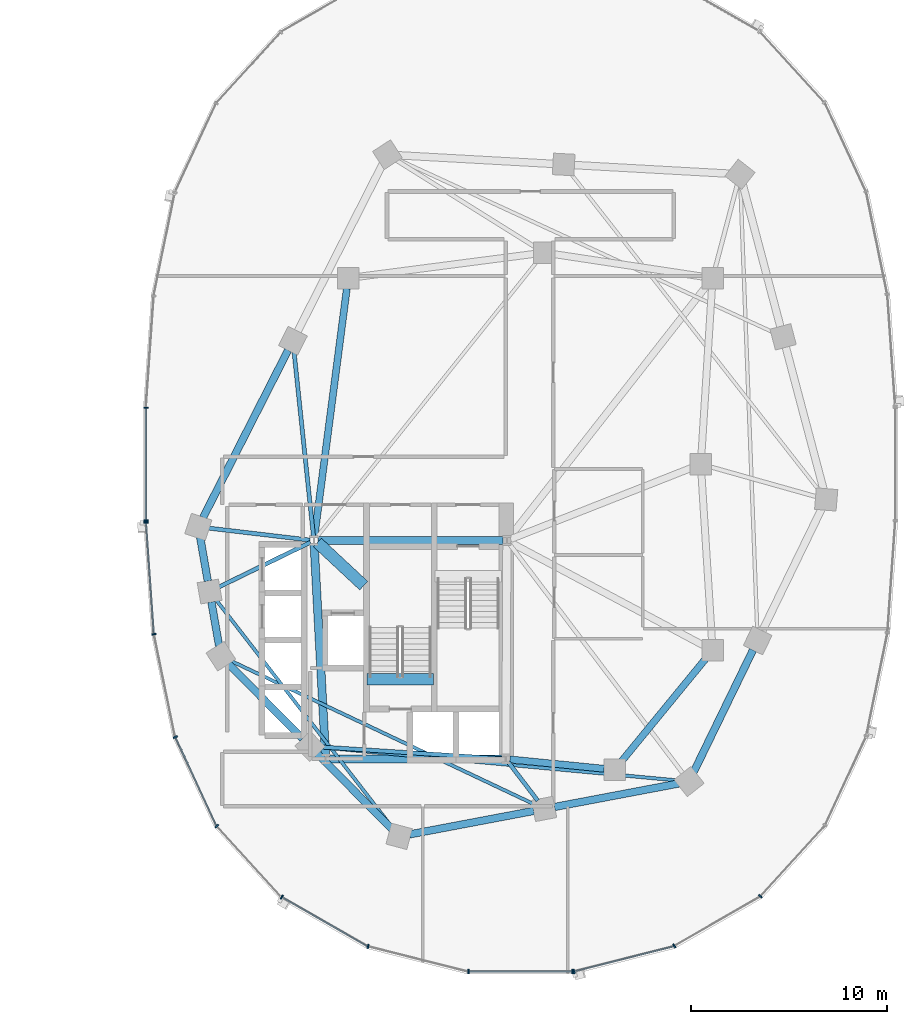
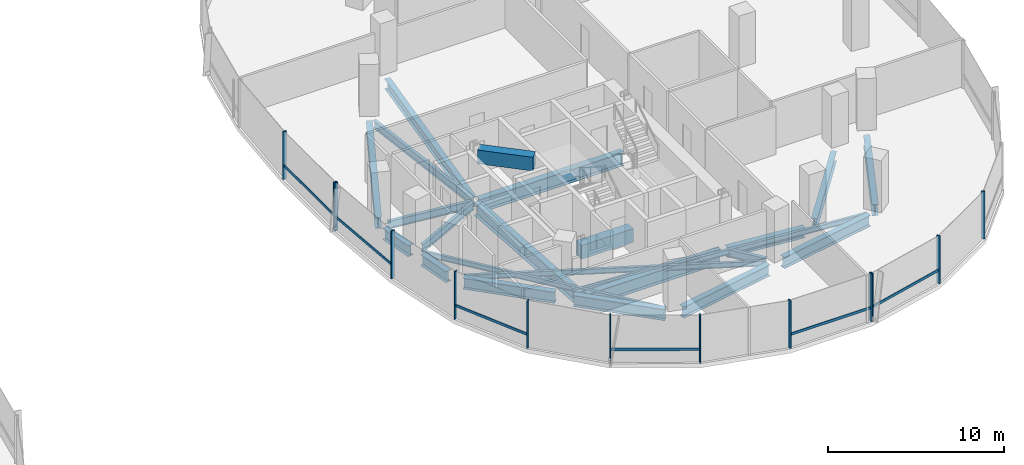
# One storey, part 5 of 21: 24 beams, 19 members, 3 elements without a shape of their own.
"""IFC4 building model written with IfcOpenShell, lengths in metres."""

import ifcopenshell
import ifcopenshell.guid

model = None  # the IFC model being written
_history = None  # IfcOwnerHistory: only IFC2X3 demands one
_inside = {}  # id of a spatial element -> (the spatial element, [elements in it])
_under = {}  # id of a project, library or spatial element -> (it, [spatial elements below it])
_declared = {}  # id of a project -> (the project, [libraries it declares])
_typed = {}  # id of a type object -> (the type object, [elements of that type])
_made_of = {}  # id of a material, layer set ... -> (it, [elements and type objects made of it])


def new_model(schema):
    """Start an empty IFC model of exactly this schema.

    Asked for "IFC4X3", IfcOpenShell would pick the latest addendum, in which some entities
    have other attributes; the version numbers below select the first issue.
    IFC2X3 requires an IfcOwnerHistory on every rooted entity: one is made here for all.
    """
    global model, _history
    if schema == "IFC4X3":
        model = ifcopenshell.file(schema_version=(4, 3, 0, 0))
    else:
        model = ifcopenshell.file(schema=schema)
    _inside.clear()
    _under.clear()
    _declared.clear()
    _typed.clear()
    _made_of.clear()
    _history = None
    if model.schema == "IFC2X3":
        org = make("IfcOrganization", Name="unknown")
        user = make(
            "IfcPersonAndOrganization",
            ThePerson=make("IfcPerson", FamilyName="unknown"),
            TheOrganization=org,
        )
        app = make(
            "IfcApplication",
            ApplicationDeveloper=org,
            Version="unknown",
            ApplicationFullName="unknown",
            ApplicationIdentifier="unknown",
        )
        _history = make(
            "IfcOwnerHistory",
            OwningUser=user,
            OwningApplication=app,
            ChangeAction="ADDED",
            CreationDate=0,
        )
    return model


def make(cls, **values):
    """One entity of the class cls with the attributes given. An attribute that is None is left unset."""
    return model.create_entity(
        cls, **{name: value for name, value in values.items() if value is not None}
    )


def rooted(cls, **values):
    """An entity with a GlobalId (a new one), such as an element, a storey or a relation."""
    return make(cls, GlobalId=ifcopenshell.guid.new(), OwnerHistory=_history, **values)


def si_unit(unit_type, name, prefix=None):
    """IfcSIUnit, for example si_unit("LENGTHUNIT", "METRE", prefix="MILLI")."""
    return make("IfcSIUnit", UnitType=unit_type, Prefix=prefix, Name=name)


def assignment(units):
    """IfcUnitAssignment: the units of a project."""
    return None if units is None else make("IfcUnitAssignment", Units=units)


def point(xyz):
    """IfcCartesianPoint."""
    return None if xyz is None else make("IfcCartesianPoint", Coordinates=xyz)


def direction(xyz):
    """IfcDirection."""
    return None if xyz is None else make("IfcDirection", DirectionRatios=xyz)


def frame(location, z_axis=None, x_axis=None):
    """IfcAxis2Placement3D, a coordinate frame: its origin and axes. An axis left out is left unset."""
    return make(
        "IfcAxis2Placement3D",
        Location=point(location),
        Axis=direction(z_axis),
        RefDirection=direction(x_axis),
    )


def frame_2d(location, x_axis=None):
    """IfcAxis2Placement2D, a coordinate frame in the plane: its origin and x axis."""
    return make(
        "IfcAxis2Placement2D", Location=point(location), RefDirection=direction(x_axis)
    )


def origin():
    """The frame at (0, 0, 0) with its axes left unset."""
    return frame((0.0, 0.0, 0.0))


def origin_2d():
    """The frame at (0, 0) in the plane with its x axis left unset."""
    return frame_2d((0.0, 0.0))


def place(relative_to, where):
    """IfcLocalPlacement: puts the frame where relative to a parent placement (None: the world)."""
    return make(
        "IfcLocalPlacement", PlacementRelTo=relative_to, RelativePlacement=where
    )


def context(
    kind, dimensions, precision=None, world=None, true_north=None, identifier=None
):
    """IfcGeometricRepresentationContext, for example the 3D "Model" context."""
    return make(
        "IfcGeometricRepresentationContext",
        ContextIdentifier=identifier,
        ContextType=kind,
        CoordinateSpaceDimension=dimensions,
        Precision=precision,
        WorldCoordinateSystem=world,
        TrueNorth=true_north,
    )


def subcontext(parent, identifier, kind, view, scale=None):
    """IfcGeometricRepresentationSubContext, for example "Body" below "Model"."""
    return make(
        "IfcGeometricRepresentationSubContext",
        ContextIdentifier=identifier,
        ContextType=kind,
        ParentContext=parent,
        TargetScale=scale,
        TargetView=view,
    )


def project(units=None, contexts=None):
    """IfcProject with its units and contexts."""
    return rooted(
        "IfcProject",
        Name="project",
        RepresentationContexts=contexts,
        UnitsInContext=assignment(units),
    )


def spatial(cls, under=None, at=None, **own):
    """A site, building, storey or space (cls), placed at a placement, below another one or the project."""
    s = rooted(cls, ObjectPlacement=at, **own)
    if under is not None:
        _under.setdefault(under.id(), (under, []))[1].append(s)
    return s


def profile(cls, at=None, kind="AREA", **sizes):
    """A parametric profile (cls). Its sizes go by their IFC names, for example OverallWidth=200.0."""
    return make(cls, ProfileType=kind, Position=at, **sizes)


def rectangle(**sizes):
    """IfcRectangleProfileDef."""
    return profile("IfcRectangleProfileDef", **sizes)


def i_section(**sizes):
    """IfcIShapeProfileDef."""
    return profile("IfcIShapeProfileDef", **sizes)


def extrude(swept, where, along, depth):
    """IfcExtrudedAreaSolid: the profile swept, set in the frame where, extruded along a direction by depth."""
    return make(
        "IfcExtrudedAreaSolid",
        SweptArea=swept,
        Position=where,
        ExtrudedDirection=direction(along),
        Depth=depth,
    )


def shape(context_of_items, identifier, shape_type, items):
    """IfcShapeRepresentation: the items that make up one representation, for example the "Body"."""
    return make(
        "IfcShapeRepresentation",
        ContextOfItems=context_of_items,
        RepresentationIdentifier=identifier,
        RepresentationType=shape_type,
        Items=items,
    )


def material(Name=None, Category=None):
    """IfcMaterial."""
    return make("IfcMaterial", Name=Name, Category=Category)


def material_profile(
    of_material, cross_section, Name=None, Category=None, Priority=None
):
    """IfcMaterialProfile: a cross section and its material."""
    return make(
        "IfcMaterialProfile",
        Name=Name,
        Material=of_material,
        Profile=cross_section,
        Priority=Priority,
        Category=Category,
    )


def profile_set(profiles, Name=None, composite=None):
    """IfcMaterialProfileSet."""
    return make(
        "IfcMaterialProfileSet",
        Name=Name,
        MaterialProfiles=profiles,
        CompositeProfile=composite,
    )


def made_of(thing, what):
    """Note that an element or type object is made of a material, layer set ...; save() writes the relation."""
    if what is not None:
        _made_of.setdefault(what.id(), (what, []))[1].append(thing)
    return thing


def type_object(cls, material=None, **own):
    """A type object (cls), such as IfcWallType, which elements share."""
    return made_of(rooted(cls, **own), material)


def element(
    cls,
    number,
    at=None,
    inside=None,
    cuts=None,
    type_object=None,
    material=None,
    context=None,
    identifier="Body",
    shape_type=None,
    held_by="IfcProductDefinitionShape",
    body=None,
    shapes=None,
    **own,
):
    """One element of the class cls, such as IfcWall. Its Tag is "e" and its number.

    at: its placement. inside: the storey or other place that contains it. cuts: it is an
    opening in that element (IfcRelVoidsElement). A single representation is given by context,
    identifier, shape_type and body (its items); several are given by shapes. held_by: the class
    of the entity that holds the representations. save() writes the other relations.
    """
    e = rooted(cls, Tag="e%d" % number, ObjectPlacement=at, **own)
    if body is not None:
        shapes = [shape(context, identifier, shape_type, body)]
    if shapes is not None:
        e.Representation = make(held_by, Representations=shapes)
    if inside is not None:
        _inside.setdefault(inside.id(), (inside, []))[1].append(e)
    if cuts is not None:
        rooted(
            "IfcRelVoidsElement", RelatingBuildingElement=cuts, RelatedOpeningElement=e
        )
    if type_object is not None:
        _typed.setdefault(type_object.id(), (type_object, []))[1].append(e)
    return made_of(e, material)


def aggregate(whole, parts):
    """IfcRelAggregates: a whole, such as a stair, and the parts it consists of."""
    return rooted("IfcRelAggregates", RelatingObject=whole, RelatedObjects=parts)


def save(model, path):
    """Write the relations noted so far, then the file.

    IfcRelAggregates (storeys below a building ...), IfcRelContainedInSpatialStructure (elements
    in a storey), IfcRelDefinesByType, IfcRelAssociatesMaterial and IfcRelDeclares: one each for
    every whole, place, type object, material and project.
    """
    for whole, parts in _under.values():
        aggregate(whole, parts)
    for where, things in _inside.values():
        rooted(
            "IfcRelContainedInSpatialStructure",
            RelatedElements=things,
            RelatingStructure=where,
        )
    for kind, things in _typed.values():
        rooted("IfcRelDefinesByType", RelatedObjects=things, RelatingType=kind)
    for what, things in _made_of.values():
        rooted("IfcRelAssociatesMaterial", RelatedObjects=things, RelatingMaterial=what)
    for by, libraries in _declared.values():
        rooted("IfcRelDeclares", RelatingContext=by, RelatedDefinitions=libraries)
    model.write(path)


model = new_model("IFC4")

# Units and contexts
model_context = context("Model", 3, precision=1e-05, world=origin(), true_north=direction((0.0, 1.0)))
body_context = subcontext(model_context, "Body", "Model", "MODEL_VIEW")
ifc_project = project(units=[si_unit("LENGTHUNIT", "METRE"), si_unit("AREAUNIT", "SQUARE_METRE"), si_unit("VOLUMEUNIT", "CUBIC_METRE"), si_unit("PLANEANGLEUNIT", "RADIAN"), si_unit("MASSUNIT", "GRAM", prefix="KILO"), si_unit("THERMODYNAMICTEMPERATUREUNIT", "KELVIN"), si_unit("POWERUNIT", "WATT")], contexts=[model_context])

# Site, building, storey
site_placement = place(None, origin())
site = spatial("IfcSite", under=ifc_project, at=site_placement, CompositionType="ELEMENT")
building_placement = place(site_placement, origin())
building = spatial("IfcBuilding", under=site, at=building_placement, Name="Cundina Bronze Exchange", CompositionType="ELEMENT")
storey_placement = place(building_placement, frame((0.0, 0.0, 110.60009765625)))
storey = spatial("IfcBuildingStorey", under=building, at=storey_placement, Name="L28", CompositionType="ELEMENT", Elevation=110.60009765625)

# Beams
ifc_material_1 = material(Name="Concrete C60/75", Category="concrete")
ifc_material_profile_1 = material_profile(ifc_material_1, rectangle(XDim=0.60009765625, YDim=0.949951171875, at=origin_2d()), Name="RC600X950", Category="concrete")
ifc_profile_set_1 = profile_set([ifc_material_profile_1], Name="Concrete C60/75")
beam_type_1 = type_object("IfcBeamType", Name="BM-COUP-RC950", PredefinedType="LINTEL", material=ifc_profile_set_1)
beam_1_placement = place(storey_placement, frame((24.159912109375, -10.97998046875, -0.47509765625), z_axis=(1.0, 0.0, 0.0), x_axis=(0.0, 1.0, 0.0)))
element("IfcBeam", 1, at=beam_1_placement, inside=storey, type_object=beam_type_1, Name="L28 Stair E2 Landing Header Beam", PredefinedType="LINTEL", context=body_context, shape_type="SweptSolid", body=[
    extrude(rectangle(XDim=0.60009765625, YDim=0.949951171875, at=origin_2d()), origin(), (0.0, 0.0, 1.0), 3.400146484375),
])
beam_2_placement = place(storey_placement, frame((21.6298828125, -4.0, 2.824951171875), z_axis=(0.731490439815, -0.681851696822, 0.0), x_axis=(0.681851696822, 0.731490439815, 0.0)))
element("IfcBeam", 2, at=beam_2_placement, inside=storey, type_object=beam_type_1, Name="L28 E Core Shear Coupling Lintel Beam", PredefinedType="LINTEL", context=body_context, shape_type="SweptSolid", body=[
    extrude(rectangle(XDim=0.60009765625, YDim=0.949951171875, at=origin_2d()), origin(), (0.0, 0.0, 1.0), 3.226318359375),
])
ifc_material_2 = material(Name="Steel ASTM A992 Grade 50", Category="steel")
ifc_material_profile_2 = material_profile(ifc_material_2, i_section(OverallWidth=0.2099609375, OverallDepth=0.532958984375, WebThickness=0.01025390625, FlangeThickness=0.015625, FilletRadius=0.013916015625, at=origin_2d()), Name="W21X62", Category="steel")
ifc_profile_set_2 = profile_set([ifc_material_profile_2], Name="Steel ASTM A992 Grade 50")
beam_type_2 = type_object("IfcBeamType", Name="BM-FLR-W21B", PredefinedType="BEAM", material=ifc_profile_set_2)
beam_3_placement = place(storey_placement, frame((21.247314453125, -3.8759765625, -0.566650390625), z_axis=(-0.993035701683, 0.117813815752, 0.0), x_axis=(-0.117813815752, -0.993035701683, 0.0)))
element("IfcBeam", 3, at=beam_3_placement, inside=storey, type_object=beam_type_2, Name="L28 Leg E Chordal Floor Beam 00", PredefinedType="BEAM", context=body_context, shape_type="SweptSolid", body=[
    extrude(i_section(OverallWidth=0.2099609375, OverallDepth=0.532958984375, WebThickness=0.01025390625, FlangeThickness=0.015625, FilletRadius=0.013916015625, at=origin_2d()), origin(), (0.0, 0.0, 1.0), 5.19921875),
])
beam_4_placement = place(storey_placement, frame((21.2666015625, -3.989501953125, -0.566650390625), z_axis=(-0.898607246385, -0.438753936443, 0.0), x_axis=(0.438753936443, -0.898607246385, 0.0)))
element("IfcBeam", 4, at=beam_4_placement, inside=storey, type_object=beam_type_2, Name="L28 Leg E Chordal Floor Beam 01", PredefinedType="BEAM", context=body_context, shape_type="SweptSolid", body=[
    extrude(i_section(OverallWidth=0.2099609375, OverallDepth=0.532958984375, WebThickness=0.01025390625, FlangeThickness=0.015625, FilletRadius=0.013916015625, at=origin_2d()), origin(), (0.0, 0.0, 1.0), 5.183837890625),
])
beam_5_placement = place(storey_placement, frame((31.04638671875, -15.036865234375, -0.566650390625), z_axis=(-0.997892901568, 0.064882640211, 0.0), x_axis=(-0.064882640211, -0.997892901568, 0.0)))
element("IfcBeam", 5, at=beam_5_placement, inside=storey, type_object=beam_type_2, Name="L28 Leg E Chordal Floor Beam 03", PredefinedType="BEAM", context=body_context, shape_type="SweptSolid", body=[
    extrude(i_section(OverallWidth=0.2099609375, OverallDepth=0.532958984375, WebThickness=0.01025390625, FlangeThickness=0.015625, FilletRadius=0.013916015625, at=origin_2d()), origin(), (0.0, 0.0, 1.0), 9.279052734375),
])
beam_6_placement = place(storey_placement, frame((31.373779296875, -15.2119140625, -0.566650390625), z_axis=(0.607490490457, -0.79432695032, 0.0), x_axis=(0.79432695032, 0.607490490457, 0.0)))
element("IfcBeam", 6, at=beam_6_placement, inside=storey, type_object=beam_type_2, Name="L28 Leg E Chordal Floor Beam 05", PredefinedType="BEAM", context=body_context, shape_type="SweptSolid", body=[
    extrude(i_section(OverallWidth=0.2099609375, OverallDepth=0.532958984375, WebThickness=0.01025390625, FlangeThickness=0.015625, FilletRadius=0.013916015625, at=origin_2d()), origin(), (0.0, 0.0, 1.0), 2.46826171875),
])
beam_7_placement = place(storey_placement, frame((21.4287109375, -3.697021484375, -0.566650390625), z_axis=(-0.104822364957, 0.994490961148, 0.0), x_axis=(-0.994490961148, -0.104822364957, 0.0)))
element("IfcBeam", 7, at=beam_7_placement, inside=storey, type_object=beam_type_2, Name="L28 Leg E Chordal Floor Beam 13", PredefinedType="BEAM", context=body_context, shape_type="SweptSolid", body=[
    extrude(i_section(OverallWidth=0.2099609375, OverallDepth=0.532958984375, WebThickness=0.01025390625, FlangeThickness=0.015625, FilletRadius=0.013916015625, at=origin_2d()), origin(), (0.0, 0.0, 1.0), 9.514404296875),
])
ifc_material_profile_3 = material_profile(ifc_material_2, i_section(OverallWidth=0.172119140625, OverallDepth=0.35791015625, WebThickness=0.0078125, FlangeThickness=0.01318359375, FilletRadius=0.010009765625, at=origin_2d()), Name="W14X38", Category="steel")
ifc_profile_set_3 = profile_set([ifc_material_profile_3], Name="Steel ASTM A992 Grade 50")
beam_type_3 = type_object("IfcBeamType", Name="BM-JST-W14", PredefinedType="JOIST", material=ifc_profile_set_3)
beam_8_placement = place(storey_placement, frame((16.454345703125, -6.92529296875, -0.47900390625), z_axis=(0.612065218806, -0.790807288742, 0.0), x_axis=(0.790807288742, 0.612065218806, 0.0)))
element("IfcBeam", 8, at=beam_8_placement, inside=storey, type_object=beam_type_3, Name="L28 Leg E Lobe Floor Joist 01-04", PredefinedType="JOIST", context=body_context, shape_type="SweptSolid", body=[
    extrude(i_section(OverallWidth=0.172119140625, OverallDepth=0.35791015625, WebThickness=0.0078125, FlangeThickness=0.01318359375, FilletRadius=0.010009765625, at=origin_2d()), origin(), (0.0, 0.0, 1.0), 14.73095703125),
])
beam_9_placement = place(storey_placement, frame((17.186279296875, -10.02978515625, -0.47900390625), z_axis=(0.904069270633, -0.427385954259, 0.0), x_axis=(0.427385954259, 0.904069270633, 0.0)))
element("IfcBeam", 9, at=beam_9_placement, inside=storey, type_object=beam_type_3, Name="L28 Leg E Lobe Floor Joist 02-05", PredefinedType="JOIST", context=body_context, shape_type="SweptSolid", body=[
    extrude(i_section(OverallWidth=0.172119140625, OverallDepth=0.35791015625, WebThickness=0.0078125, FlangeThickness=0.01318359375, FilletRadius=0.010009765625, at=origin_2d()), origin(), (0.0, 0.0, 1.0), 17.175048828125),
])
beam_10_placement = place(storey_placement, frame((21.78564453125, -14.44970703125, -0.47900390625), z_axis=(0.995700674022, -0.092629194921, 0.0), x_axis=(0.092629194921, 0.995700674022, 0.0)))
element("IfcBeam", 10, at=beam_10_placement, inside=storey, type_object=beam_type_3, Name="L28 Leg E Lobe Floor Joist 03-06", PredefinedType="JOIST", context=body_context, shape_type="SweptSolid", body=[
    extrude(i_section(OverallWidth=0.172119140625, OverallDepth=0.35791015625, WebThickness=0.0078125, FlangeThickness=0.01318359375, FilletRadius=0.010009765625, at=origin_2d()), origin(), (0.0, 0.0, 1.0), 18.357421875),
])
ifc_material_profile_4 = material_profile(ifc_material_2, i_section(OverallWidth=0.35498046875, OverallDepth=0.695068359375, WebThickness=0.015380859375, FlangeThickness=0.02490234375, FilletRadius=0.01806640625, at=origin_2d()), Name="W27X146", Category="steel")
ifc_profile_set_4 = profile_set([ifc_material_profile_4], Name="Steel ASTM A992 Grade 50")
beam_type_4 = type_object("IfcBeamType", Name="BM-RING-W27", PredefinedType="USERDEFINED", material=ifc_profile_set_4)
beam_11_placement = place(storey_placement, frame((31.452880859375, -15.070068359375, -0.647705078125), z_axis=(0.995126271817, -0.098608839051, 0.0), x_axis=(0.098608839051, 0.995126271817, 0.0)))
element("IfcBeam", 11, at=beam_11_placement, inside=storey, type_object=beam_type_4, Name="L28 E Inner Structural Ring Girder 01", ObjectType="GIRDER", PredefinedType="USERDEFINED", context=body_context, shape_type="SweptSolid", body=[
    extrude(i_section(OverallWidth=0.35498046875, OverallDepth=0.695068359375, WebThickness=0.015380859375, FlangeThickness=0.02490234375, FilletRadius=0.01806640625, at=origin_2d()), origin(), (0.0, 0.0, 1.0), 4.83544921875),
])
beam_12_placement = place(storey_placement, frame((37.14111328125, -15.183837890625, -0.647705078125), z_axis=(0.633926549035, 0.773393257295, 0.0), x_axis=(-0.773393257295, 0.633926549035, 0.0)))
element("IfcBeam", 12, at=beam_12_placement, inside=storey, type_object=beam_type_4, Name="L28 E Inner Structural Ring Girder 02", ObjectType="GIRDER", PredefinedType="USERDEFINED", context=body_context, shape_type="SweptSolid", body=[
    extrude(i_section(OverallWidth=0.35498046875, OverallDepth=0.695068359375, WebThickness=0.015380859375, FlangeThickness=0.02490234375, FilletRadius=0.01806640625, at=origin_2d()), origin(), (0.0, 0.0, 1.0), 6.811279296875),
])
beam_13_placement = place(storey_placement, frame((23.13037109375, 8.966552734375, -0.647705078125), z_axis=(-0.129507526533, -0.99157843894, 0.0), x_axis=(0.99157843894, -0.129507526533, 0.0)))
element("IfcBeam", 13, at=beam_13_placement, inside=storey, type_object=beam_type_4, Name="L28 E Inner Structural Ring Girder 07", ObjectType="GIRDER", PredefinedType="USERDEFINED", context=body_context, shape_type="SweptSolid", body=[
    extrude(i_section(OverallWidth=0.35498046875, OverallDepth=0.695068359375, WebThickness=0.015380859375, FlangeThickness=0.02490234375, FilletRadius=0.01806640625, at=origin_2d()), origin(), (0.0, 0.0, 1.0), 12.77197265625),
])
ifc_material_profile_5 = material_profile(ifc_material_2, i_section(OverallWidth=0.381103515625, OverallDepth=0.77294921875, WebThickness=0.0166015625, FlangeThickness=0.027099609375, FilletRadius=0.01904296875, at=origin_2d()), Name="W30X173", Category="steel")
ifc_profile_set_5 = profile_set([ifc_material_profile_5], Name="Steel ASTM A992 Grade 50")
beam_type_5 = type_object("IfcBeamType", Name="BM-RING-W30", PredefinedType="USERDEFINED", material=ifc_profile_set_5)
for number, where, z_axis, x_axis, name in (
    (14, (15.642333984375, -3.72998046875, -0.6865234375), (0.171690078326, -0.985151012284, 0.0), (0.985151012284, 0.171690078326, 0.0), "L28 E Perimeter Ring Girder 00"),
    (15, (16.21728515625, -7.030029296875, -0.6865234375), (0.171690078326, -0.985151012284, 0.0), (0.985151012284, 0.171690078326, 0.0), "L28 E Perimeter Ring Girder 01"),
):
    element("IfcBeam", number, at=place(storey_placement, frame(where, z_axis=z_axis, x_axis=x_axis)), inside=storey, type_object=beam_type_5, Name=name, ObjectType="GIRDER", PredefinedType="USERDEFINED", context=body_context, shape_type="SweptSolid", body=[
        extrude(i_section(OverallWidth=0.381103515625, OverallDepth=0.77294921875, WebThickness=0.0166015625, FlangeThickness=0.027099609375, FilletRadius=0.01904296875, at=origin_2d()), origin(), (0.0, 0.0, 1.0), 2.273681640625),
    ])
for number, where, z_axis, x_axis, name in (
    (16, (17.078369140625, -10.1826171875, -0.6865234375), (0.703226342126, -0.7109660412, 0.0), (0.7109660412, 0.703226342126, 0.0), "L28 E Perimeter Ring Girder 02"),
    (17, (21.62841796875, -14.782470703125, -0.6865234375), (0.703226342126, -0.7109660412, 0.0), (0.7109660412, 0.703226342126, 0.0), "L28 E Perimeter Ring Girder 03"),
):
    element("IfcBeam", number, at=place(storey_placement, frame(where, z_axis=z_axis, x_axis=x_axis)), inside=storey, type_object=beam_type_5, Name=name, ObjectType="GIRDER", PredefinedType="USERDEFINED", context=body_context, shape_type="SweptSolid", body=[
        extrude(i_section(OverallWidth=0.381103515625, OverallDepth=0.77294921875, WebThickness=0.0166015625, FlangeThickness=0.027099609375, FilletRadius=0.01904296875, at=origin_2d()), origin(), (0.0, 0.0, 1.0), 5.39404296875),
    ])
for number, where, z_axis, x_axis, name in (
    (18, (26.32861328125, -18.89990234375, -0.6865234375), (0.98257117919, 0.185886733861, 0.0), (-0.185886733861, 0.98257117919, 0.0), "L28 E Perimeter Ring Girder 04"),
    (19, (33.728515625, -17.5, -0.6865234375), (0.98257117919, 0.185886733861, 0.0), (-0.185886733861, 0.98257117919, 0.0), "L28 E Perimeter Ring Girder 05"),
):
    element("IfcBeam", number, at=place(storey_placement, frame(where, z_axis=z_axis, x_axis=x_axis)), inside=storey, type_object=beam_type_5, Name=name, ObjectType="GIRDER", PredefinedType="USERDEFINED", context=body_context, shape_type="SweptSolid", body=[
        extrude(i_section(OverallWidth=0.381103515625, OverallDepth=0.77294921875, WebThickness=0.0166015625, FlangeThickness=0.027099609375, FilletRadius=0.01904296875, at=origin_2d()), origin(), (0.0, 0.0, 1.0), 6.455322265625),
    ])
beam_14_placement = place(storey_placement, frame((40.835205078125, -15.716064453125, -0.6865234375), z_axis=(0.437193894283, 0.899367276924, 0.0), x_axis=(-0.899367276924, 0.437193894283, 0.0)))
element("IfcBeam", 20, at=beam_14_placement, inside=storey, type_object=beam_type_5, Name="L28 E Perimeter Ring Girder 06", ObjectType="GIRDER", PredefinedType="USERDEFINED", context=body_context, shape_type="SweptSolid", body=[
    extrude(i_section(OverallWidth=0.381103515625, OverallDepth=0.77294921875, WebThickness=0.0166015625, FlangeThickness=0.027099609375, FilletRadius=0.01904296875, at=origin_2d()), origin(), (0.0, 0.0, 1.0), 6.929443359375),
])
beam_15_placement = place(storey_placement, frame((20.13134765625, 5.8203125, -0.6865234375), z_axis=(-0.452832332744, -0.891595692241, 0.0), x_axis=(0.891595692241, -0.452832332744, 0.0)))
element("IfcBeam", 21, at=beam_15_placement, inside=storey, type_object=beam_type_5, Name="L28 E Perimeter Ring Girder 13", ObjectType="GIRDER", PredefinedType="USERDEFINED", context=body_context, shape_type="SweptSolid", body=[
    extrude(i_section(OverallWidth=0.381103515625, OverallDepth=0.77294921875, WebThickness=0.0166015625, FlangeThickness=0.027099609375, FilletRadius=0.01904296875, at=origin_2d()), origin(), (0.0, 0.0, 1.0), 9.578857421875),
])
ifc_material_profile_6 = material_profile(ifc_material_2, i_section(OverallWidth=0.41796875, OverallDepth=0.927001953125, WebThickness=0.019287109375, FlangeThickness=0.031982421875, FilletRadius=0.02392578125, at=origin_2d()), Name="W36X231", Category="steel")
ifc_profile_set_6 = profile_set([ifc_material_profile_6], Name="Steel ASTM A992 Grade 50")
beam_type_6 = type_object("IfcBeamType", Name="BM-WRN-W36B", PredefinedType="USERDEFINED", material=ifc_profile_set_6)
beam_16_placement = place(storey_placement, frame((31.095947265625, -3.89990234375, -0.763671875), z_axis=(-1.0, 0.0, 0.0), x_axis=(0.0, -1.0, 0.0)))
element("IfcBeam", 22, at=beam_16_placement, inside=storey, type_object=beam_type_6, Name="L28 E Core Perimeter Tie Girder 1", ObjectType="GIRDER", PredefinedType="USERDEFINED", context=body_context, shape_type="SweptSolid", body=[
    extrude(i_section(OverallWidth=0.41796875, OverallDepth=0.927001953125, WebThickness=0.019287109375, FlangeThickness=0.031982421875, FilletRadius=0.02392578125, at=origin_2d()), origin(), (0.0, 0.0, 1.0), 9.44189453125),
])
beam_17_placement = place(storey_placement, frame((21.4609375, -4.103759765625, -0.763671875), z_axis=(0.053739193498, -0.998555005537, 0.0), x_axis=(0.998555005537, 0.053739193498, 0.0)))
element("IfcBeam", 23, at=beam_17_placement, inside=storey, type_object=beam_type_6, Name="L28 E Core Perimeter Tie Girder 2", ObjectType="GIRDER", PredefinedType="USERDEFINED", context=body_context, shape_type="SweptSolid", body=[
    extrude(i_section(OverallWidth=0.41796875, OverallDepth=0.927001953125, WebThickness=0.019287109375, FlangeThickness=0.031982421875, FilletRadius=0.02392578125, at=origin_2d()), origin(), (0.0, 0.0, 1.0), 10.758056640625),
])
beam_18_placement = place(storey_placement, frame((22.25390625, -15.050048828125, -0.763671875), z_axis=(1.0, 0.0, 0.0), x_axis=(0.0, 1.0, 0.0)))
element("IfcBeam", 24, at=beam_18_placement, inside=storey, type_object=beam_type_6, Name="L28 E Core Perimeter Tie Girder 3", ObjectType="GIRDER", PredefinedType="USERDEFINED", context=body_context, shape_type="SweptSolid", body=[
    extrude(i_section(OverallWidth=0.41796875, OverallDepth=0.927001953125, WebThickness=0.019287109375, FlangeThickness=0.031982421875, FilletRadius=0.02392578125, at=origin_2d()), origin(), (0.0, 0.0, 1.0), 8.7919921875),
])

# Curtain wall, members
ifc_material_3 = material(Name="Anodised Bronze Aluminium 6063-T6", Category="aluminium")
curtain_wall_type = type_object("IfcCurtainWallType", Name="CWS-TRD-MID", PredefinedType="NOTDEFINED", material=ifc_material_3)
curtain_wall_1_placement = place(storey_placement, origin())
curtain_wall_1 = element("IfcCurtainWall", 25, at=curtain_wall_1_placement, inside=storey, type_object=curtain_wall_type, Name="L28 CW-03 Curtain Wall Run CWR-L28-E2", PredefinedType="NOTDEFINED")
ifc_material_profile_7 = material_profile(ifc_material_3, rectangle(XDim=0.074951171875, YDim=0.219970703125, at=origin_2d()), Name="AL75X220", Category="aluminium")
ifc_profile_set_7 = profile_set([ifc_material_profile_7], Name="Anodised Bronze Aluminium 6063-T6")
member_type_1 = type_object("IfcMemberType", Name="CWM-MUL-220", PredefinedType="MULLION", material=ifc_profile_set_7)
member_1_placement = place(storey_placement, frame((12.8720703125, 2.880615234375, 0.0), z_axis=(0.0, 0.0, 1.0), x_axis=(0.0, -1.0, 0.0)))
member_1 = element("IfcMember", 26, at=member_1_placement, type_object=member_type_1, Name="CW-03 Mullion 7", PredefinedType="MULLION", context=body_context, shape_type="SweptSolid", body=[
    extrude(rectangle(XDim=0.074951171875, YDim=0.219970703125, at=origin_2d()), origin(), (0.0, 0.0, 1.0), 3.2998046875),
])
member_2_placement = place(storey_placement, frame((12.8720703125, -2.880615234375, 0.0), z_axis=(0.0, 0.0, 1.0), x_axis=(0.0, -1.0, 0.0)))
member_2 = element("IfcMember", 27, at=member_2_placement, type_object=member_type_1, Name="CW-03 End Mullion", PredefinedType="MULLION", context=body_context, shape_type="SweptSolid", body=[
    extrude(rectangle(XDim=0.074951171875, YDim=0.219970703125, at=origin_2d()), origin(), (0.0, 0.0, 1.0), 3.2998046875),
])

curtain_wall_2_placement = place(storey_placement, origin())
curtain_wall_2 = element("IfcCurtainWall", 28, at=curtain_wall_2_placement, inside=storey, type_object=curtain_wall_type, Name="L28 CW-03 Curtain Wall Run CWR-L28-E3", PredefinedType="NOTDEFINED")
member_3_placement = place(storey_placement, frame((12.87548828125, -2.976318359375, 0.0), z_axis=(0.0, 0.0, 1.0), x_axis=(0.070278787473, -0.997527389113, 0.0)))
member_3 = element("IfcMember", 29, at=member_3_placement, type_object=member_type_1, Name="CW-03 Mullion 1", PredefinedType="MULLION", context=body_context, shape_type="SweptSolid", body=[
    extrude(rectangle(XDim=0.074951171875, YDim=0.219970703125, at=origin_2d()), origin(), (0.0, 0.0, 1.0), 3.2998046875),
])
member_4_placement = place(storey_placement, frame((13.282958984375, -8.67822265625, 0.0), z_axis=(0.0, 0.0, 1.0), x_axis=(0.201419845156, -0.979505000486, 0.0)))
member_4 = element("IfcMember", 30, at=member_4_placement, type_object=member_type_1, Name="CW-03 Mullion 2", PredefinedType="MULLION", context=body_context, shape_type="SweptSolid", body=[
    extrude(rectangle(XDim=0.074951171875, YDim=0.219970703125, at=origin_2d()), origin(), (0.0, 0.0, 1.0), 3.2998046875),
])
member_5_placement = place(storey_placement, frame((14.3720703125, -13.931884765625, 0.0), z_axis=(0.0, 0.0, 1.0), x_axis=(0.42087749791, -0.907117485088, 0.0)))
member_5 = element("IfcMember", 31, at=member_5_placement, type_object=member_type_1, Name="CW-03 Mullion 3", PredefinedType="MULLION", context=body_context, shape_type="SweptSolid", body=[
    extrude(rectangle(XDim=0.074951171875, YDim=0.219970703125, at=origin_2d()), origin(), (0.0, 0.0, 1.0), 3.2998046875),
])
member_6_placement = place(storey_placement, frame((16.491455078125, -18.47705078125, 0.0), z_axis=(0.0, 0.0, 1.0), x_axis=(0.674302387584, -0.738455340626, 0.0)))
member_6 = element("IfcMember", 32, at=member_6_placement, type_object=member_type_1, Name="CW-03 Mullion 4", PredefinedType="MULLION", context=body_context, shape_type="SweptSolid", body=[
    extrude(rectangle(XDim=0.074951171875, YDim=0.219970703125, at=origin_2d()), origin(), (0.0, 0.0, 1.0), 3.2998046875),
])
member_7_placement = place(storey_placement, frame((19.810302734375, -22.097412109375, 0.0), z_axis=(0.0, 0.0, 1.0), x_axis=(0.867070701164, -0.498185105339, 0.0)))
member_7 = element("IfcMember", 33, at=member_7_placement, type_object=member_type_1, Name="CW-03 Mullion 5", PredefinedType="MULLION", context=body_context, shape_type="SweptSolid", body=[
    extrude(rectangle(XDim=0.074951171875, YDim=0.219970703125, at=origin_2d()), origin(), (0.0, 0.0, 1.0), 3.2998046875),
])
member_8_placement = place(storey_placement, frame((24.21484375, -24.61669921875, 0.0), z_axis=(0.0, 0.0, 1.0), x_axis=(0.969488149345, -0.245138182011, 0.0)))
member_8 = element("IfcMember", 34, at=member_8_placement, type_object=member_type_1, Name="CW-03 Mullion 6", PredefinedType="MULLION", context=body_context, shape_type="SweptSolid", body=[
    extrude(rectangle(XDim=0.074951171875, YDim=0.219970703125, at=origin_2d()), origin(), (0.0, 0.0, 1.0), 3.2998046875),
])
member_9_placement = place(storey_placement, frame((29.345458984375, -25.905029296875, 0.0), z_axis=(0.0, 0.0, 1.0), x_axis=(1.0, 0.0, 0.0)))
member_9 = element("IfcMember", 35, at=member_9_placement, type_object=member_type_1, Name="CW-03 Mullion 7", PredefinedType="MULLION", context=body_context, shape_type="SweptSolid", body=[
    extrude(rectangle(XDim=0.074951171875, YDim=0.219970703125, at=origin_2d()), origin(), (0.0, 0.0, 1.0), 3.2998046875),
])
member_10_placement = place(storey_placement, frame((34.654541015625, -25.905029296875, 0.0), z_axis=(0.0, 0.0, 1.0), x_axis=(1.0, 0.0, 0.0)))
member_10 = element("IfcMember", 36, at=member_10_placement, type_object=member_type_1, Name="CW-03 End Mullion", PredefinedType="MULLION", context=body_context, shape_type="SweptSolid", body=[
    extrude(rectangle(XDim=0.074951171875, YDim=0.219970703125, at=origin_2d()), origin(), (0.0, 0.0, 1.0), 3.2998046875),
])

curtain_wall_3_placement = place(storey_placement, origin())
curtain_wall_3 = element("IfcCurtainWall", 37, at=curtain_wall_3_placement, inside=storey, type_object=curtain_wall_type, Name="L28 CW-03 Curtain Wall Run CWR-L28-E4", PredefinedType="NOTDEFINED")
member_11_placement = place(storey_placement, frame((34.72607421875, -25.89599609375, 0.0), z_axis=(0.0, 0.0, 1.0), x_axis=(0.969488149345, 0.245138182011, 0.0)))
member_11 = element("IfcMember", 38, at=member_11_placement, type_object=member_type_1, Name="CW-03 Mullion 1", PredefinedType="MULLION", context=body_context, shape_type="SweptSolid", body=[
    extrude(rectangle(XDim=0.074951171875, YDim=0.219970703125, at=origin_2d()), origin(), (0.0, 0.0, 1.0), 3.2998046875),
])
member_12_placement = place(storey_placement, frame((39.848876953125, -24.591064453125, 0.0), z_axis=(0.0, 0.0, 1.0), x_axis=(0.867070701164, 0.498185105339, 0.0)))
member_12 = element("IfcMember", 39, at=member_12_placement, type_object=member_type_1, Name="CW-03 Mullion 2", PredefinedType="MULLION", context=body_context, shape_type="SweptSolid", body=[
    extrude(rectangle(XDim=0.074951171875, YDim=0.219970703125, at=origin_2d()), origin(), (0.0, 0.0, 1.0), 3.2998046875),
])
member_13_placement = place(storey_placement, frame((44.239501953125, -22.0576171875, 0.0), z_axis=(0.0, 0.0, 1.0), x_axis=(0.674302387584, 0.738455340626, 0.0)))
member_13 = element("IfcMember", 40, at=member_13_placement, type_object=member_type_1, Name="CW-03 Mullion 3", PredefinedType="MULLION", context=body_context, shape_type="SweptSolid", body=[
    extrude(rectangle(XDim=0.074951171875, YDim=0.219970703125, at=origin_2d()), origin(), (0.0, 0.0, 1.0), 3.2998046875),
])

# Member
ifc_material_profile_8 = material_profile(ifc_material_3, rectangle(XDim=0.070068359375, YDim=0.179931640625, at=origin_2d()), Name="AL70X180", Category="aluminium")
ifc_profile_set_8 = profile_set([ifc_material_profile_8], Name="Anodised Bronze Aluminium 6063-T6")
member_type_2 = type_object("IfcMemberType", Name="CWM-TRN-180", PredefinedType="USERDEFINED", material=ifc_profile_set_8)
member_14_placement = place(storey_placement, frame((12.8720703125, 2.839111328125, 0.919921875), z_axis=(0.0, -1.0, 0.0), x_axis=(1.0, 0.0, 0.0)))
member_14 = element("IfcMember", 41, at=member_14_placement, type_object=member_type_2, Name="CW-03 Spandrel Transom 7", ObjectType="TRANSOM", PredefinedType="USERDEFINED", context=body_context, shape_type="SweptSolid", body=[
    extrude(rectangle(XDim=0.070068359375, YDim=0.179931640625, at=origin_2d()), origin(), (0.0, 0.0, 1.0), 5.67822265625),
])

aggregate(curtain_wall_1, [member_1, member_2, member_14])

member_15_placement = place(storey_placement, frame((12.87841796875, -3.017333984375, 0.919921875), z_axis=(0.070260714471, -0.997528662246, 0.0), x_axis=(0.997528662246, 0.070260714471, 0.0)))
member_15 = element("IfcMember", 42, at=member_15_placement, type_object=member_type_2, Name="CW-03 Spandrel Transom 1", ObjectType="TRANSOM", PredefinedType="USERDEFINED", context=body_context, shape_type="SweptSolid", body=[
    extrude(rectangle(XDim=0.070068359375, YDim=0.179931640625, at=origin_2d()), origin(), (0.0, 0.0, 1.0), 5.629150390625),
])

member_16_placement = place(storey_placement, frame((14.389404296875, -13.96923828125, 0.919921875), z_axis=(0.420811422796, -0.907148139195, 0.0), x_axis=(0.907148139195, 0.420811422796, 0.0)))
member_16 = element("IfcMember", 43, at=member_16_placement, type_object=member_type_2, Name="CW-03 Spandrel Transom 3", ObjectType="TRANSOM", PredefinedType="USERDEFINED", context=body_context, shape_type="SweptSolid", body=[
    extrude(rectangle(XDim=0.070068359375, YDim=0.179931640625, at=origin_2d()), origin(), (0.0, 0.0, 1.0), 4.95166015625),
])

member_17_placement = place(storey_placement, frame((19.845947265625, -22.117919921875, 0.919921875), z_axis=(0.867097475651, -0.498138502546, 0.0), x_axis=(0.498138502546, 0.867097475651, 0.0)))
member_17 = element("IfcMember", 44, at=member_17_placement, type_object=member_type_2, Name="CW-03 Spandrel Transom 5", ObjectType="TRANSOM", PredefinedType="USERDEFINED", context=body_context, shape_type="SweptSolid", body=[
    extrude(rectangle(XDim=0.070068359375, YDim=0.179931640625, at=origin_2d()), origin(), (0.0, 0.0, 1.0), 5.00634765625),
])

member_18_placement = place(storey_placement, frame((29.38671875, -25.905029296875, 0.919921875), z_axis=(1.0, 0.0, 0.0), x_axis=(0.0, 1.0, 0.0)))
member_18 = element("IfcMember", 45, at=member_18_placement, type_object=member_type_2, Name="CW-03 Spandrel Transom 7", ObjectType="TRANSOM", PredefinedType="USERDEFINED", context=body_context, shape_type="SweptSolid", body=[
    extrude(rectangle(XDim=0.070068359375, YDim=0.179931640625, at=origin_2d()), origin(), (0.0, 0.0, 1.0), 5.2265625),
])

aggregate(curtain_wall_2, [member_3, member_15, member_4, member_5, member_16, member_6, member_7, member_17, member_8, member_9, member_10, member_18])

member_19_placement = place(storey_placement, frame((34.76611328125, -25.885986328125, 0.919921875), z_axis=(0.969483968866, 0.245154714644, 0.0), x_axis=(-0.245154714644, 0.969483968866, 0.0)))
member_19 = element("IfcMember", 46, at=member_19_placement, type_object=member_type_2, Name="CW-03 Spandrel Transom 1", ObjectType="TRANSOM", PredefinedType="USERDEFINED", context=body_context, shape_type="SweptSolid", body=[
    extrude(rectangle(XDim=0.070068359375, YDim=0.179931640625, at=origin_2d()), origin(), (0.0, 0.0, 1.0), 5.21826171875),
])

aggregate(curtain_wall_3, [member_11, member_19, member_12, member_13])

save(model, "model.ifc")
